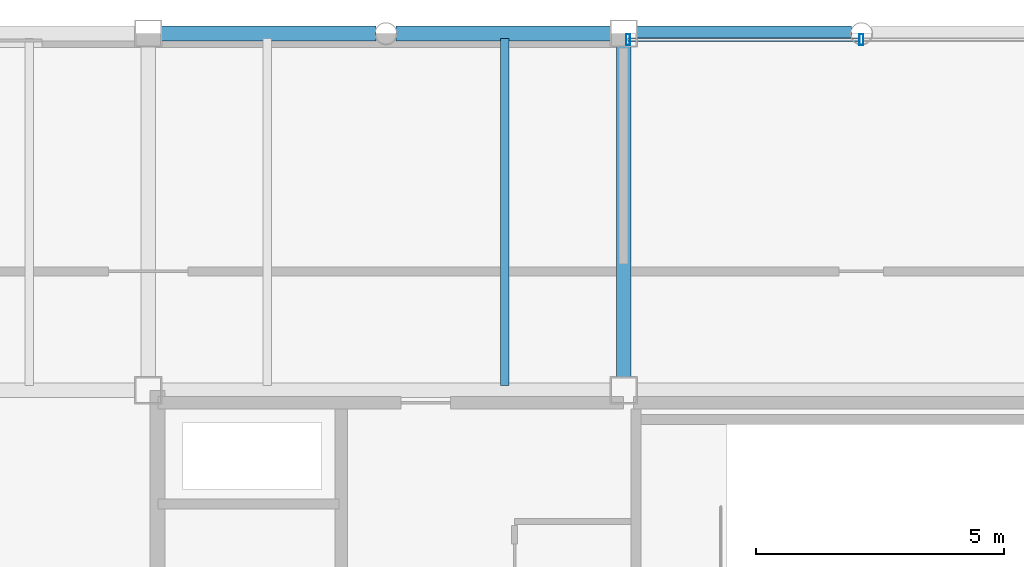
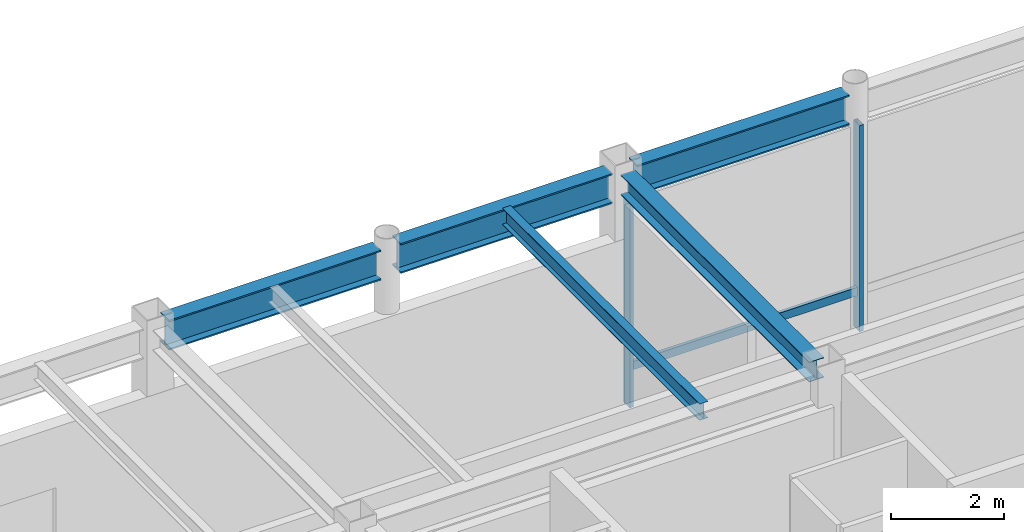
# One storey, part 13 of 21: 5 beams, 3 members, 1 element without a shape of its own.
"""IFC4 building model written with IfcOpenShell, lengths in metres."""

from ifc_helpers import new_model, si_unit, direction, frame, origin, origin_2d, place, context, subcontext, project, spatial, hollow_rectangle, i_section, extrude, material, layer, layer_set, material_profile, profile_set, type_object, element, aggregate, save


model = new_model("IFC4")

# Units and contexts
model_context = context("Model", 3, precision=1e-05, world=origin(), true_north=direction((0.0, 1.0)))
body_context = subcontext(model_context, "Body", "Model", "MODEL_VIEW")
ifc_project = project(units=[si_unit("LENGTHUNIT", "METRE"), si_unit("AREAUNIT", "SQUARE_METRE"), si_unit("VOLUMEUNIT", "CUBIC_METRE"), si_unit("PLANEANGLEUNIT", "RADIAN"), si_unit("MASSUNIT", "GRAM", prefix="KILO")], contexts=[model_context])

# Site, building, storey
site_placement = place(None, origin())
site = spatial("IfcSite", under=ifc_project, at=site_placement, CompositionType="ELEMENT")
building_placement = place(site_placement, origin())
building = spatial("IfcBuilding", under=site, at=building_placement, Name="Kallvorn Hotel Tower", CompositionType="ELEMENT")
storey_placement = place(building_placement, frame((0.0, 0.0, 300.60009765625)))
storey = spatial("IfcBuildingStorey", under=building, at=storey_placement, Name="L74", CompositionType="ELEMENT", Elevation=300.60009765625)

# Beams
ifc_material_1 = material(Name="Structural steel S355JR", Category="steel")
ifc_material_profile_1 = material_profile(ifc_material_1, i_section(OverallWidth=0.300048828125, OverallDepth=0.43994140625, WebThickness=0.011474609375, FlangeThickness=0.02099609375, at=origin_2d()), Name="HE 450 A")
ifc_profile_set_1 = profile_set([ifc_material_profile_1], Name="Structural steel S355JR")
beam_type_1 = type_object("IfcBeamType", Name="BM_HE450A", PredefinedType="BEAM", material=ifc_profile_set_1)
beam_1_placement = place(storey_placement, frame((-4.800048828125, 7.449951171875, 4.93994140625), z_axis=(0.0, 1.0, 0.0), x_axis=(-1.0, 0.0, 0.0)))
element("IfcBeam", 1, at=beam_1_placement, inside=storey, type_object=beam_type_1, Name="ROOF Primary Y-Girder 39", PredefinedType="BEAM", context=body_context, shape_type="SweptSolid", body=[
    extrude(i_section(OverallWidth=0.300048828125, OverallDepth=0.43994140625, WebThickness=0.011474609375, FlangeThickness=0.02099609375, at=origin_2d()), origin(), (0.0, 0.0, 1.0), 6.699951171875),
])
ifc_material_2 = material(Name="Structural steel S355JR", Category="steel")
ifc_material_profile_2 = material_profile(ifc_material_2, i_section(OverallWidth=0.300048828125, OverallDepth=0.64990234375, WebThickness=0.01611328125, FlangeThickness=0.031005859375, at=origin_2d()), Name="HE 650 B")
ifc_profile_set_2 = profile_set([ifc_material_profile_2], Name="Structural steel S355JR")
beam_type_2 = type_object("IfcBeamType", Name="BM_HE650B", PredefinedType="BEAM", material=ifc_profile_set_2)
for number, where, z_axis, x_axis, name in (
    (2, (-14.14990234375, 14.39990234375, 4.8349609375), (1.0, 0.0, 0.0), (0.0, 1.0, 0.0), "ROOF Primary X-Girder 18"),
    (3, (-9.396484375, 14.39990234375, 4.8349609375), (1.0, 0.0, 0.0), (0.0, 1.0, 0.0), "ROOF Primary X-Girder 19"),
    (4, (-4.550048828125, 14.39990234375, 4.8349609375), (1.0, 0.0, 0.0), (0.0, 1.0, 0.0), "ROOF Primary X-Girder 20"),
):
    element("IfcBeam", number, at=place(storey_placement, frame(where, z_axis=z_axis, x_axis=x_axis)), inside=storey, type_object=beam_type_2, Name=name, PredefinedType="BEAM", context=body_context, shape_type="SweptSolid", body=[
        extrude(i_section(OverallWidth=0.300048828125, OverallDepth=0.64990234375, WebThickness=0.01611328125, FlangeThickness=0.031005859375, at=origin_2d()), origin(), (0.0, 0.0, 1.0), 4.346435546875),
    ])
ifc_material_3 = material(Name="Structural steel S355JR", Category="steel")
ifc_material_profile_3 = material_profile(ifc_material_3, i_section(OverallWidth=0.169921875, OverallDepth=0.360107421875, WebThickness=0.008056640625, FlangeThickness=0.0126953125, at=origin_2d()), Name="IPE 360")
ifc_profile_set_3 = profile_set([ifc_material_profile_3], Name="Structural steel S355JR")
beam_type_3 = type_object("IfcBeamType", Name="BM_IPE360", PredefinedType="JOIST", material=ifc_profile_set_3)
beam_2_placement = place(storey_placement, frame((-7.199951171875, 7.300048828125, 4.97998046875), z_axis=(0.0, 1.0, 0.0), x_axis=(-1.0, 0.0, 0.0)))
element("IfcBeam", 5, at=beam_2_placement, inside=storey, type_object=beam_type_3, Name="ROOF Secondary Composite Joist 97", PredefinedType="JOIST", context=body_context, shape_type="SweptSolid", body=[
    extrude(i_section(OverallWidth=0.169921875, OverallDepth=0.360107421875, WebThickness=0.008056640625, FlangeThickness=0.0126953125, at=origin_2d()), origin(), (0.0, 0.0, 1.0), 7.0),
])

# Curtain wall, members
ifc_material_4 = material(Name="Thermally broken black-anodised aluminium AA 6063-T6", Category="aluminium")
ifc_layer = layer(ifc_material_4, 0.25)
ifc_layer_set = layer_set([ifc_layer], Name="CW_SYS_6_SUMMIT_OBS")
curtain_wall_type = type_object("IfcCurtainWallType", Name="CW_SYS_6_SUMMIT_OBS", PredefinedType="USERDEFINED", material=ifc_layer_set)
curtain_wall_placement = place(storey_placement, origin())
curtain_wall = element("IfcCurtainWall", 6, at=curtain_wall_placement, inside=storey, type_object=curtain_wall_type, Name="L74 Dark-Glass Curtain Wall CW-L74-NC", ObjectType="UNITISED CURTAIN WALL", PredefinedType="USERDEFINED")
ifc_material_5 = material(Name="Thermally broken black-anodised aluminium AA 6063-T6", Category="aluminium")
ifc_material_profile_4 = material_profile(ifc_material_5, hollow_rectangle(XDim=0.080078125, YDim=0.219970703125, WallThickness=0.0048828125, at=origin_2d()), Name="MUL 220x80")
ifc_profile_set_4 = profile_set([ifc_material_profile_4], Name="Thermally broken black-anodised aluminium AA 6063-T6")
member_type_1 = type_object("IfcMemberType", Name="CW_MULLION_220x80", PredefinedType="MULLION", material=ifc_profile_set_4)
member_1_placement = place(storey_placement, frame((-4.7099609375, 14.280029296875, 0.02001953125), z_axis=(0.0, 0.0, 1.0), x_axis=(1.0, 0.0, 0.0)))
member_1 = element("IfcMember", 7, at=member_1_placement, type_object=member_type_1, Name="CW-L74-NC Mullion 00", PredefinedType="MULLION", context=body_context, shape_type="SweptSolid", body=[
    extrude(hollow_rectangle(XDim=0.080078125, YDim=0.219970703125, WallThickness=0.0048828125, at=origin_2d()), origin(), (0.0, 0.0, 1.0), 4.469970703125),
])
member_2_placement = place(storey_placement, frame((0.0, 14.280029296875, 0.02001953125), z_axis=(0.0, 0.0, 1.0), x_axis=(1.0, 0.0, 0.0)))
member_2 = element("IfcMember", 8, at=member_2_placement, type_object=member_type_1, Name="CW-L74-NC Mullion 01", PredefinedType="MULLION", context=body_context, shape_type="SweptSolid", body=[
    extrude(hollow_rectangle(XDim=0.080078125, YDim=0.219970703125, WallThickness=0.0048828125, at=origin_2d()), origin(), (0.0, 0.0, 1.0), 4.469970703125),
])
ifc_material_6 = material(Name="Thermally broken black-anodised aluminium AA 6063-T6", Category="aluminium")
ifc_material_profile_5 = material_profile(ifc_material_6, hollow_rectangle(XDim=0.070068359375, YDim=0.179931640625, WallThickness=0.00390625, at=origin_2d()), Name="TRN 180x70")
ifc_profile_set_5 = profile_set([ifc_material_profile_5], Name="Thermally broken black-anodised aluminium AA 6063-T6")
member_type_2 = type_object("IfcMemberType", Name="CW_TRANSOM_180x70", PredefinedType="USERDEFINED", material=ifc_profile_set_5)
member_3_placement = place(storey_placement, frame((-4.7099609375, 14.280029296875, 0.849853515625), z_axis=(1.0, 0.0, 0.0), x_axis=(0.0, 1.0, 0.0)))
member_3 = element("IfcMember", 9, at=member_3_placement, type_object=member_type_2, Name="CW-L74-NC Transom 00M", ObjectType="TRANSOM", PredefinedType="USERDEFINED", context=body_context, shape_type="SweptSolid", body=[
    extrude(hollow_rectangle(XDim=0.070068359375, YDim=0.179931640625, WallThickness=0.00390625, at=origin_2d()), origin(), (0.0, 0.0, 1.0), 4.669921875),
])
aggregate(curtain_wall, [member_1, member_2, member_3])

save(model, "model.ifc")
